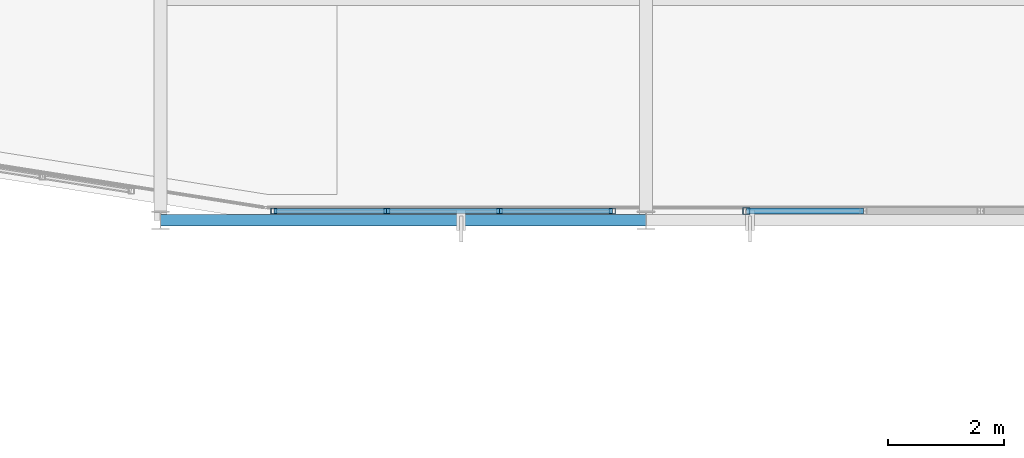
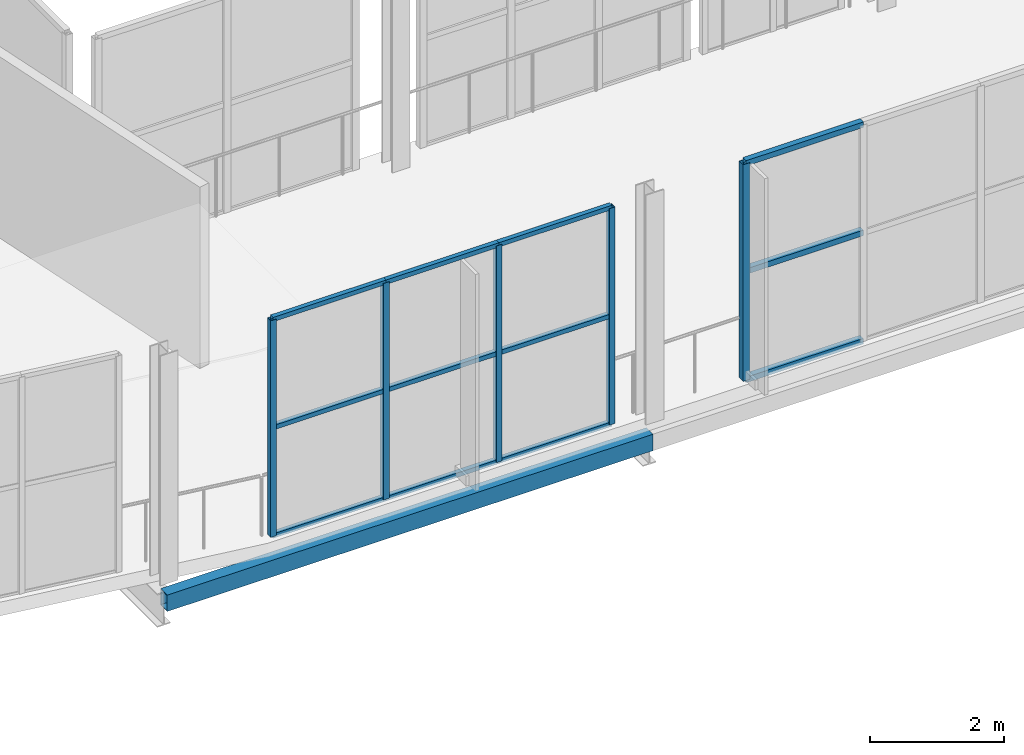
# One storey, part 16 of 151: 17 members, 1 beam, 2 elements without a shape of their own.
"""IFC4 building model written with IfcOpenShell, lengths in metres."""

from ifc_helpers import new_model, si_unit, direction, frame, origin, origin_2d, place, context, subcontext, project, spatial, hollow_rectangle, extrude, material, material_profile, profile_set, type_object, element, aggregate, save


model = new_model("IFC4")

# Units and contexts
model_context = context("Model", 3, precision=1e-05, world=origin(), true_north=direction((0.0, 1.0)))
body_context = subcontext(model_context, "Body", "Model", "MODEL_VIEW")
ifc_project = project(units=[si_unit("LENGTHUNIT", "METRE"), si_unit("AREAUNIT", "SQUARE_METRE"), si_unit("VOLUMEUNIT", "CUBIC_METRE"), si_unit("PLANEANGLEUNIT", "RADIAN"), si_unit("MASSUNIT", "GRAM", prefix="KILO")], contexts=[model_context])

# Site, building, storey
site_placement = place(None, origin())
site = spatial("IfcSite", under=ifc_project, at=site_placement, CompositionType="ELEMENT")
building_placement = place(site_placement, origin())
building = spatial("IfcBuilding", under=site, at=building_placement, Name="Zuvorla Pavilion Media Centre", CompositionType="ELEMENT")
storey_placement = place(building_placement, frame((0.0, 0.0, 13.800048828125)))
storey = spatial("IfcBuildingStorey", under=building, at=storey_placement, Name="L03", CompositionType="ELEMENT", Elevation=13.800048828125)

# Beam
ifc_material_1 = material(Name="Steel S355", Category="steel")
ifc_material_profile_1 = material_profile(ifc_material_1, hollow_rectangle(XDim=0.199951171875, YDim=0.300048828125, WallThickness=0.012451171875, at=origin_2d()), Name="RHS 300x200x12.5")
ifc_profile_set_1 = profile_set([ifc_material_profile_1], Name="Steel S355")
beam_type = type_object("IfcBeamType", Name="BM-SP-RHS300", PredefinedType="SPANDREL", material=ifc_profile_set_1)
beam_placement = place(storey_placement, frame((24.800048828125, 44.0, -0.407958984375), z_axis=(1.0, 0.0, 0.0), x_axis=(0.0, 1.0, 0.0)))
element("IfcBeam", 1, at=beam_placement, inside=storey, type_object=beam_type, Name="L03 spandrel SP01 1075", PredefinedType="SPANDREL", context=body_context, shape_type="SweptSolid", body=[
    extrude(hollow_rectangle(XDim=0.199951171875, YDim=0.300048828125, WallThickness=0.012451171875, at=origin_2d()), origin(), (0.0, 0.0, 1.0), 8.39990234375),
])

# Curtain wall, members
ifc_material_2 = material(Name="Unitised anodised aluminium and solar glass curtain wall", Category="aluminium")
curtain_wall_type_1 = type_object("IfcCurtainWallType", Name="CW-SYS-19", PredefinedType="USERDEFINED", material=ifc_material_2)
curtain_wall_1_placement = place(storey_placement, origin())
curtain_wall_1 = element("IfcCurtainWall", 2, at=curtain_wall_1_placement, inside=storey, type_object=curtain_wall_type_1, Name="L03 curtain wall CW19 132", ObjectType="CURTAIN WALL", PredefinedType="USERDEFINED")
ifc_material_3 = material(Name="Anodised aluminium 6063-T6", Category="aluminium")
ifc_material_profile_2 = material_profile(ifc_material_3, hollow_rectangle(XDim=0.10009765625, YDim=0.10009765625, WallThickness=0.00439453125, at=origin_2d()), Name="ALU MULL 100x100")
ifc_profile_set_2 = profile_set([ifc_material_profile_2], Name="Anodised aluminium 6063-T6")
member_type_1 = type_object("IfcMemberType", Name="CW-MULL-100", PredefinedType="MULLION", material=ifc_profile_set_2)
member_1_placement = place(storey_placement, frame((26.760009765625, 44.159912109375, 0.0), z_axis=(0.0, 0.0, 1.0), x_axis=(1.0, 0.0, 0.0)))
member_1 = element("IfcMember", 3, at=member_1_placement, type_object=member_type_1, Name="CW19 mullion 1", PredefinedType="MULLION", context=body_context, shape_type="SweptSolid", body=[
    extrude(hollow_rectangle(XDim=0.10009765625, YDim=0.10009765625, WallThickness=0.00439453125, at=origin_2d()), origin(), (0.0, 0.0, 1.0), 3.9599609375),
])
member_2_placement = place(storey_placement, frame((28.712646484375, 44.159912109375, 0.0), z_axis=(0.0, 0.0, 1.0), x_axis=(1.0, 0.0, 0.0)))
member_2 = element("IfcMember", 4, at=member_2_placement, type_object=member_type_1, Name="CW19 mullion 2", PredefinedType="MULLION", context=body_context, shape_type="SweptSolid", body=[
    extrude(hollow_rectangle(XDim=0.10009765625, YDim=0.10009765625, WallThickness=0.00439453125, at=origin_2d()), origin(), (0.0, 0.0, 1.0), 3.9599609375),
])
member_3_placement = place(storey_placement, frame((30.665283203125, 44.159912109375, 0.0), z_axis=(0.0, 0.0, 1.0), x_axis=(1.0, 0.0, 0.0)))
member_3 = element("IfcMember", 5, at=member_3_placement, type_object=member_type_1, Name="CW19 mullion 3", PredefinedType="MULLION", context=body_context, shape_type="SweptSolid", body=[
    extrude(hollow_rectangle(XDim=0.10009765625, YDim=0.10009765625, WallThickness=0.00439453125, at=origin_2d()), origin(), (0.0, 0.0, 1.0), 3.9599609375),
])
member_4_placement = place(storey_placement, frame((32.6181640625, 44.159912109375, 0.0), z_axis=(0.0, 0.0, 1.0), x_axis=(1.0, 0.0, 0.0)))
member_4 = element("IfcMember", 6, at=member_4_placement, type_object=member_type_1, Name="CW19 mullion 4", PredefinedType="MULLION", context=body_context, shape_type="SweptSolid", body=[
    extrude(hollow_rectangle(XDim=0.10009765625, YDim=0.10009765625, WallThickness=0.00439453125, at=origin_2d()), origin(), (0.0, 0.0, 1.0), 3.9599609375),
])

curtain_wall_type_2 = type_object("IfcCurtainWallType", Name="CW-SYS-65", PredefinedType="USERDEFINED", material=ifc_material_2)
curtain_wall_2_placement = place(storey_placement, origin())
curtain_wall_2 = element("IfcCurtainWall", 7, at=curtain_wall_2_placement, inside=storey, type_object=curtain_wall_type_2, Name="L03 curtain wall CW65 133", ObjectType="CURTAIN WALL", PredefinedType="USERDEFINED")
ifc_material_profile_3 = material_profile(ifc_material_3, hollow_rectangle(XDim=0.1201171875, YDim=0.1201171875, WallThickness=0.0048828125, at=origin_2d()), Name="ALU MULL 120x120")
ifc_profile_set_3 = profile_set([ifc_material_profile_3], Name="Anodised aluminium 6063-T6")
member_type_2 = type_object("IfcMemberType", Name="CW-MULL-120", PredefinedType="MULLION", material=ifc_profile_set_3)
member_5_placement = place(storey_placement, frame((34.93505859375, 44.159912109375, 0.0), z_axis=(0.0, 0.0, 1.0), x_axis=(1.0, 0.0, 0.0)))
member_5 = element("IfcMember", 8, at=member_5_placement, type_object=member_type_2, Name="CW65 mullion 1", PredefinedType="MULLION", context=body_context, shape_type="SweptSolid", body=[
    extrude(hollow_rectangle(XDim=0.1201171875, YDim=0.1201171875, WallThickness=0.0048828125, at=origin_2d()), origin(), (0.0, 0.0, 1.0), 3.9599609375),
])
ifc_material_profile_4 = material_profile(ifc_material_3, hollow_rectangle(XDim=0.10009765625, YDim=0.10009765625, WallThickness=0.00439453125, at=origin_2d()), Name="ALU TRAN 100x100")
ifc_profile_set_4 = profile_set([ifc_material_profile_4], Name="Anodised aluminium 6063-T6")
member_type_3 = type_object("IfcMemberType", Name="CW-TRAN-100", PredefinedType="USERDEFINED", material=ifc_profile_set_4)
member_6_placement = place(storey_placement, frame((34.93505859375, 44.159912109375, 0.0), z_axis=(1.0, 0.0, 0.0), x_axis=(0.0, 1.0, 0.0)))
member_6 = element("IfcMember", 9, at=member_6_placement, type_object=member_type_3, Name="CW65 transom 1.1", ObjectType="TRANSOM", PredefinedType="USERDEFINED", context=body_context, shape_type="SweptSolid", body=[
    extrude(hollow_rectangle(XDim=0.10009765625, YDim=0.10009765625, WallThickness=0.00439453125, at=origin_2d()), origin(), (0.0, 0.0, 1.0), 2.027587890625),
])
member_7_placement = place(storey_placement, frame((34.93505859375, 44.159912109375, 1.97998046875), z_axis=(1.0, 0.0, 0.0), x_axis=(0.0, 1.0, 0.0)))
member_7 = element("IfcMember", 10, at=member_7_placement, type_object=member_type_3, Name="CW65 transom 1.2", ObjectType="TRANSOM", PredefinedType="USERDEFINED", context=body_context, shape_type="SweptSolid", body=[
    extrude(hollow_rectangle(XDim=0.10009765625, YDim=0.10009765625, WallThickness=0.00439453125, at=origin_2d()), origin(), (0.0, 0.0, 1.0), 2.027587890625),
])
member_8_placement = place(storey_placement, frame((34.93505859375, 44.159912109375, 3.9599609375), z_axis=(1.0, 0.0, 0.0), x_axis=(0.0, 1.0, 0.0)))
member_8 = element("IfcMember", 11, at=member_8_placement, type_object=member_type_3, Name="CW65 transom 1.3", ObjectType="TRANSOM", PredefinedType="USERDEFINED", context=body_context, shape_type="SweptSolid", body=[
    extrude(hollow_rectangle(XDim=0.10009765625, YDim=0.10009765625, WallThickness=0.00439453125, at=origin_2d()), origin(), (0.0, 0.0, 1.0), 2.027587890625),
])
aggregate(curtain_wall_2, [member_5, member_6, member_7, member_8])

# Member
ifc_material_profile_5 = material_profile(ifc_material_3, hollow_rectangle(XDim=0.080078125, YDim=0.080078125, WallThickness=0.00390625, at=origin_2d()), Name="ALU TRAN 80x80")
ifc_profile_set_5 = profile_set([ifc_material_profile_5], Name="Anodised aluminium 6063-T6")
member_type_4 = type_object("IfcMemberType", Name="CW-TRAN-80", PredefinedType="USERDEFINED", material=ifc_profile_set_5)
member_9_placement = place(storey_placement, frame((26.760009765625, 44.159912109375, 0.0), z_axis=(1.0, 0.0, 0.0), x_axis=(0.0, 1.0, 0.0)))
member_9 = element("IfcMember", 12, at=member_9_placement, type_object=member_type_4, Name="CW19 transom 1.1", ObjectType="TRANSOM", PredefinedType="USERDEFINED", context=body_context, shape_type="SweptSolid", body=[
    extrude(hollow_rectangle(XDim=0.080078125, YDim=0.080078125, WallThickness=0.00390625, at=origin_2d()), origin(), (0.0, 0.0, 1.0), 1.95263671875),
])

member_10_placement = place(storey_placement, frame((26.760009765625, 44.159912109375, 1.97998046875), z_axis=(1.0, 0.0, 0.0), x_axis=(0.0, 1.0, 0.0)))
member_10 = element("IfcMember", 13, at=member_10_placement, type_object=member_type_4, Name="CW19 transom 1.2", ObjectType="TRANSOM", PredefinedType="USERDEFINED", context=body_context, shape_type="SweptSolid", body=[
    extrude(hollow_rectangle(XDim=0.080078125, YDim=0.080078125, WallThickness=0.00390625, at=origin_2d()), origin(), (0.0, 0.0, 1.0), 1.95263671875),
])

member_11_placement = place(storey_placement, frame((26.760009765625, 44.159912109375, 3.9599609375), z_axis=(1.0, 0.0, 0.0), x_axis=(0.0, 1.0, 0.0)))
member_11 = element("IfcMember", 14, at=member_11_placement, type_object=member_type_4, Name="CW19 transom 1.3", ObjectType="TRANSOM", PredefinedType="USERDEFINED", context=body_context, shape_type="SweptSolid", body=[
    extrude(hollow_rectangle(XDim=0.080078125, YDim=0.080078125, WallThickness=0.00390625, at=origin_2d()), origin(), (0.0, 0.0, 1.0), 1.95263671875),
])

member_12_placement = place(storey_placement, frame((28.712646484375, 44.159912109375, 0.0), z_axis=(1.0, 0.0, 0.0), x_axis=(0.0, 1.0, 0.0)))
member_12 = element("IfcMember", 15, at=member_12_placement, type_object=member_type_4, Name="CW19 transom 2.1", ObjectType="TRANSOM", PredefinedType="USERDEFINED", context=body_context, shape_type="SweptSolid", body=[
    extrude(hollow_rectangle(XDim=0.080078125, YDim=0.080078125, WallThickness=0.00390625, at=origin_2d()), origin(), (0.0, 0.0, 1.0), 1.95263671875),
])

member_13_placement = place(storey_placement, frame((28.712646484375, 44.159912109375, 1.97998046875), z_axis=(1.0, 0.0, 0.0), x_axis=(0.0, 1.0, 0.0)))
member_13 = element("IfcMember", 16, at=member_13_placement, type_object=member_type_4, Name="CW19 transom 2.2", ObjectType="TRANSOM", PredefinedType="USERDEFINED", context=body_context, shape_type="SweptSolid", body=[
    extrude(hollow_rectangle(XDim=0.080078125, YDim=0.080078125, WallThickness=0.00390625, at=origin_2d()), origin(), (0.0, 0.0, 1.0), 1.95263671875),
])

member_14_placement = place(storey_placement, frame((28.712646484375, 44.159912109375, 3.9599609375), z_axis=(1.0, 0.0, 0.0), x_axis=(0.0, 1.0, 0.0)))
member_14 = element("IfcMember", 17, at=member_14_placement, type_object=member_type_4, Name="CW19 transom 2.3", ObjectType="TRANSOM", PredefinedType="USERDEFINED", context=body_context, shape_type="SweptSolid", body=[
    extrude(hollow_rectangle(XDim=0.080078125, YDim=0.080078125, WallThickness=0.00390625, at=origin_2d()), origin(), (0.0, 0.0, 1.0), 1.95263671875),
])

member_15_placement = place(storey_placement, frame((30.665283203125, 44.159912109375, 0.0), z_axis=(1.0, 0.0, 0.0), x_axis=(0.0, 1.0, 0.0)))
member_15 = element("IfcMember", 18, at=member_15_placement, type_object=member_type_4, Name="CW19 transom 3.1", ObjectType="TRANSOM", PredefinedType="USERDEFINED", context=body_context, shape_type="SweptSolid", body=[
    extrude(hollow_rectangle(XDim=0.080078125, YDim=0.080078125, WallThickness=0.00390625, at=origin_2d()), origin(), (0.0, 0.0, 1.0), 1.952880859375),
])

member_16_placement = place(storey_placement, frame((30.665283203125, 44.159912109375, 1.97998046875), z_axis=(1.0, 0.0, 0.0), x_axis=(0.0, 1.0, 0.0)))
member_16 = element("IfcMember", 19, at=member_16_placement, type_object=member_type_4, Name="CW19 transom 3.2", ObjectType="TRANSOM", PredefinedType="USERDEFINED", context=body_context, shape_type="SweptSolid", body=[
    extrude(hollow_rectangle(XDim=0.080078125, YDim=0.080078125, WallThickness=0.00390625, at=origin_2d()), origin(), (0.0, 0.0, 1.0), 1.952880859375),
])

member_17_placement = place(storey_placement, frame((30.665283203125, 44.159912109375, 3.9599609375), z_axis=(1.0, 0.0, 0.0), x_axis=(0.0, 1.0, 0.0)))
member_17 = element("IfcMember", 20, at=member_17_placement, type_object=member_type_4, Name="CW19 transom 3.3", ObjectType="TRANSOM", PredefinedType="USERDEFINED", context=body_context, shape_type="SweptSolid", body=[
    extrude(hollow_rectangle(XDim=0.080078125, YDim=0.080078125, WallThickness=0.00390625, at=origin_2d()), origin(), (0.0, 0.0, 1.0), 1.952880859375),
])

aggregate(curtain_wall_1, [member_1, member_2, member_3, member_4, member_9, member_10, member_11, member_12, member_13, member_14, member_15, member_16, member_17])

save(model, "model.ifc")
